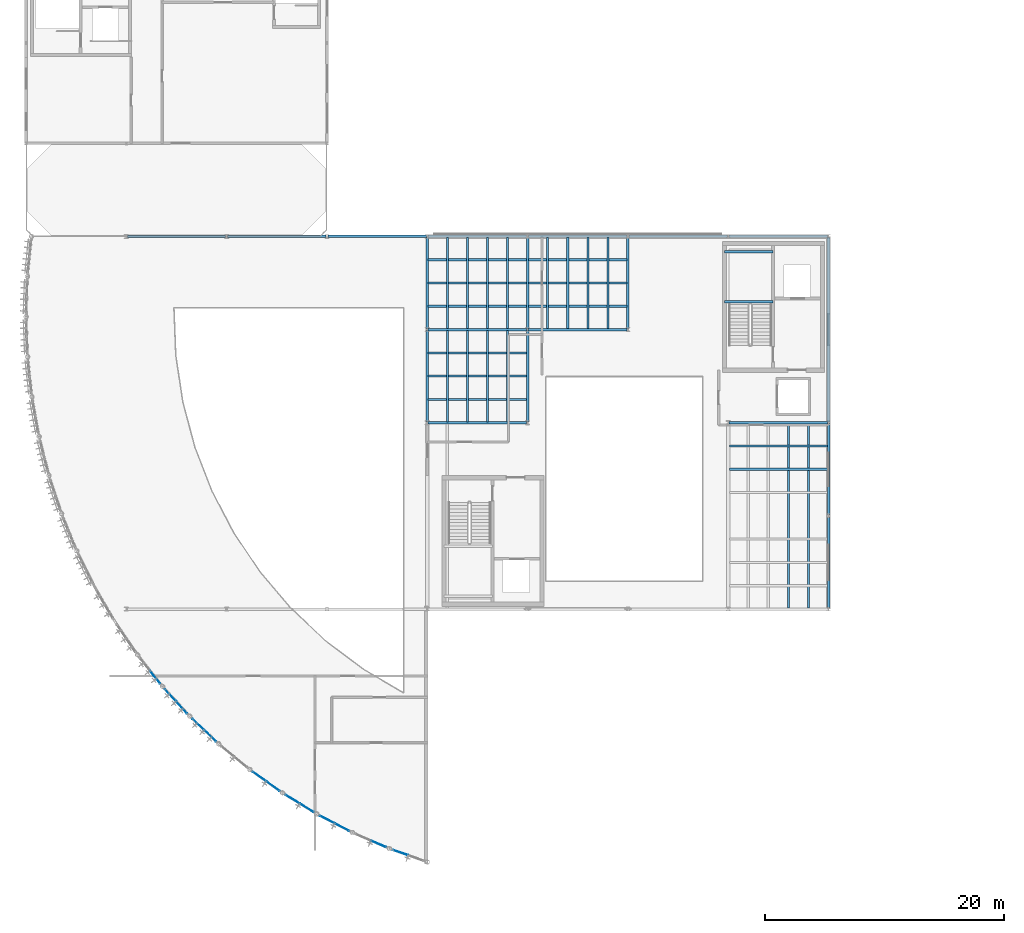
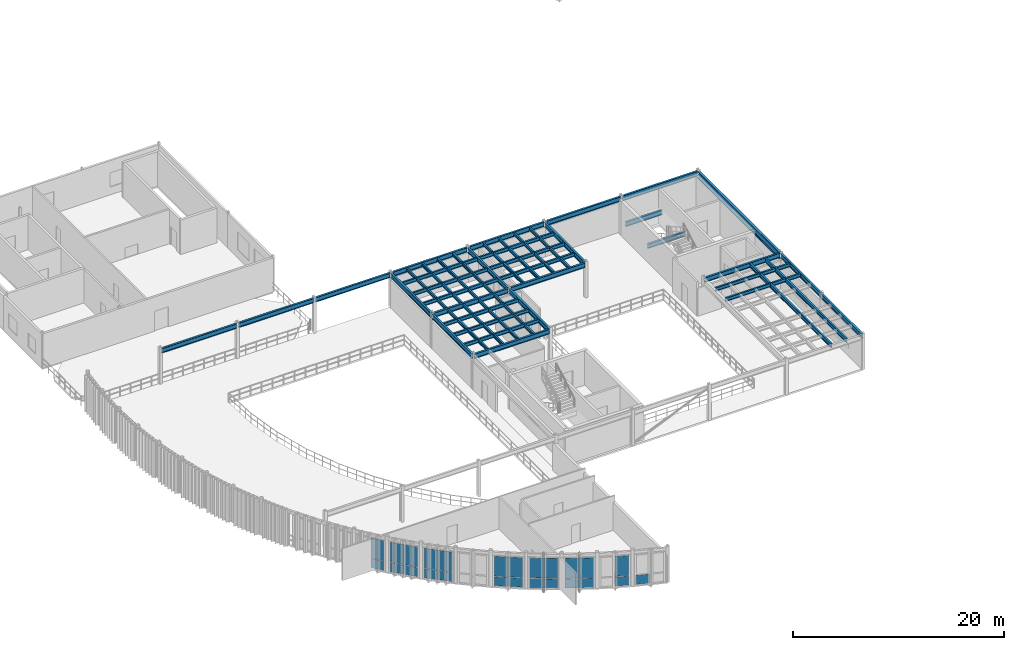
# One storey, part 17 of 32: 46 beams, 25 plates, 8 elements without a shape of their own.
"""IFC4 building model written with IfcOpenShell, lengths in metres."""

from ifc_helpers import new_model, si_unit, direction, frame, origin, origin_2d, place, context, subcontext, project, spatial, rectangle, i_section, extrude, material, layer, layer_set, material_profile, profile_set, type_object, element, aggregate, save


model = new_model("IFC4")

# Units and contexts
model_context = context("Model", 3, precision=1e-05, world=origin(), true_north=direction((0.0, 1.0)))
body_context = subcontext(model_context, "Body", "Model", "MODEL_VIEW")
ifc_project = project(units=[si_unit("LENGTHUNIT", "METRE"), si_unit("AREAUNIT", "SQUARE_METRE"), si_unit("VOLUMEUNIT", "CUBIC_METRE"), si_unit("PLANEANGLEUNIT", "RADIAN"), si_unit("MASSUNIT", "GRAM", prefix="KILO")], contexts=[model_context])

# Site, building, storey
site_placement = place(None, origin())
site = spatial("IfcSite", under=ifc_project, at=site_placement, CompositionType="ELEMENT")
building_placement = place(site_placement, origin())
building = spatial("IfcBuilding", under=site, at=building_placement, Name="Selat Folded Stagehouse", CompositionType="ELEMENT")
storey_placement = place(building_placement, frame((0.0, 0.0, 19.199951171875)))
storey = spatial("IfcBuildingStorey", under=building, at=storey_placement, Name="L04", CompositionType="ELEMENT", Elevation=19.199951171875)

# Beams
ifc_material_1 = material(Name="Steel S355", Category="steel")
ifc_material_profile_1 = material_profile(ifc_material_1, i_section(OverallWidth=0.210693359375, OverallDepth=0.53955078125, WebThickness=0.01171875, FlangeThickness=0.018798828125, FilletRadius=0.0126953125, at=origin_2d()), Name="UKB 533x210x109")
ifc_profile_set_1 = profile_set([ifc_material_profile_1], Name="Steel S355")
beam_type_1 = type_object("IfcBeamType", Name="BM-GIRD-533x210x109", PredefinedType="BEAM", material=ifc_profile_set_1)
beam_1_placement = place(storey_placement, frame((33.60009765625, 39.080078125, 3.73046875), z_axis=(0.0, 1.0, 0.0), x_axis=(-1.0, 0.0, 0.0)))
element("IfcBeam", 1, at=beam_1_placement, inside=storey, type_object=beam_type_1, Name="L04 primary y-girder 1378", PredefinedType="BEAM", context=body_context, shape_type="SweptSolid", body=[
    extrude(i_section(OverallWidth=0.210693359375, OverallDepth=0.53955078125, WebThickness=0.01171875, FlangeThickness=0.018798828125, FilletRadius=0.0126953125, at=origin_2d()), origin(), (0.0, 0.0, 1.0), 7.639892578125),
])
beam_2_placement = place(storey_placement, frame((33.60009765625, 46.8798828125, 3.73046875), z_axis=(0.0, 1.0, 0.0), x_axis=(-1.0, 0.0, 0.0)))
element("IfcBeam", 2, at=beam_2_placement, inside=storey, type_object=beam_type_1, Name="L04 primary y-girder 1379", PredefinedType="BEAM", context=body_context, shape_type="SweptSolid", body=[
    extrude(i_section(OverallWidth=0.210693359375, OverallDepth=0.53955078125, WebThickness=0.01171875, FlangeThickness=0.018798828125, FilletRadius=0.0126953125, at=origin_2d()), origin(), (0.0, 0.0, 1.0), 7.64013671875),
])
beam_3_placement = place(storey_placement, frame((42.0, 39.080078125, 3.73046875), z_axis=(0.0, 1.0, 0.0), x_axis=(-1.0, 0.0, 0.0)))
element("IfcBeam", 3, at=beam_3_placement, inside=storey, type_object=beam_type_1, Name="L04 primary y-girder 1380", PredefinedType="BEAM", context=body_context, shape_type="SweptSolid", body=[
    extrude(i_section(OverallWidth=0.210693359375, OverallDepth=0.53955078125, WebThickness=0.01171875, FlangeThickness=0.018798828125, FilletRadius=0.0126953125, at=origin_2d()), origin(), (0.0, 0.0, 1.0), 7.639892578125),
])
for number, where, z_axis, x_axis, name in (
    (4, (42.0, 46.8798828125, 3.73046875), (0.0, 1.0, 0.0), (-1.0, 0.0, 0.0), "L04 primary y-girder 1381"),
    (5, (50.39990234375, 46.8798828125, 3.73046875), (0.0, 1.0, 0.0), (-1.0, 0.0, 0.0), "L04 primary y-girder 1382"),
    (6, (67.199951171875, 23.47998046875, 3.73046875), (0.0, 1.0, 0.0), (-1.0, 0.0, 0.0), "L04 primary y-girder 1384"),
):
    element("IfcBeam", number, at=place(storey_placement, frame(where, z_axis=z_axis, x_axis=x_axis)), inside=storey, type_object=beam_type_1, Name=name, PredefinedType="BEAM", context=body_context, shape_type="SweptSolid", body=[
        extrude(i_section(OverallWidth=0.210693359375, OverallDepth=0.53955078125, WebThickness=0.01171875, FlangeThickness=0.018798828125, FilletRadius=0.0126953125, at=origin_2d()), origin(), (0.0, 0.0, 1.0), 7.64013671875),
    ])
beam_4_placement = place(storey_placement, frame((67.199951171875, 31.280029296875, 3.73046875), z_axis=(0.0, 1.0, 0.0), x_axis=(-1.0, 0.0, 0.0)))
element("IfcBeam", 7, at=beam_4_placement, inside=storey, type_object=beam_type_1, Name="L04 primary y-girder 1385", PredefinedType="BEAM", context=body_context, shape_type="SweptSolid", body=[
    extrude(i_section(OverallWidth=0.210693359375, OverallDepth=0.53955078125, WebThickness=0.01171875, FlangeThickness=0.018798828125, FilletRadius=0.0126953125, at=origin_2d()), origin(), (0.0, 0.0, 1.0), 7.639892578125),
])
ifc_material_profile_2 = material_profile(ifc_material_1, i_section(OverallWidth=0.209228515625, OverallDepth=0.533203125, WebThickness=0.010009765625, FlangeThickness=0.015625, FilletRadius=0.0126953125, at=origin_2d()), Name="UKB 533x210x92")
ifc_profile_set_2 = profile_set([ifc_material_profile_2], Name="Steel S355")
beam_type_2 = type_object("IfcBeamType", Name="BM-GIRD-533x210x92", PredefinedType="BEAM", material=ifc_profile_set_2)
beam_5_placement = place(storey_placement, frame((33.679931640625, 39.0, 3.733642578125), z_axis=(1.0, 0.0, 0.0), x_axis=(0.0, 1.0, 0.0)))
element("IfcBeam", 8, at=beam_5_placement, inside=storey, type_object=beam_type_2, Name="L04 primary x-girder 1366", PredefinedType="BEAM", context=body_context, shape_type="SweptSolid", body=[
    extrude(i_section(OverallWidth=0.209228515625, OverallDepth=0.533203125, WebThickness=0.010009765625, FlangeThickness=0.015625, FilletRadius=0.0126953125, at=origin_2d()), origin(), (0.0, 0.0, 1.0), 8.239990234375),
])
beam_6_placement = place(storey_placement, frame((58.8798828125, 39.0, 3.733642578125), z_axis=(1.0, 0.0, 0.0), x_axis=(0.0, 1.0, 0.0)))
element("IfcBeam", 9, at=beam_6_placement, inside=storey, type_object=beam_type_2, Name="L04 primary x-girder 1367", PredefinedType="BEAM", context=body_context, shape_type="SweptSolid", body=[
    extrude(i_section(OverallWidth=0.209228515625, OverallDepth=0.533203125, WebThickness=0.010009765625, FlangeThickness=0.015625, FilletRadius=0.0126953125, at=origin_2d()), origin(), (0.0, 0.0, 1.0), 8.240234375),
])
for number, where, z_axis, x_axis, name in (
    (10, (33.679931640625, 46.800048828125, 3.733642578125), (1.0, 0.0, 0.0), (0.0, 1.0, 0.0), "L04 primary x-girder 1368"),
    (11, (42.080078125, 46.800048828125, 3.733642578125), (1.0, 0.0, 0.0), (0.0, 1.0, 0.0), "L04 primary x-girder 1369"),
    (12, (8.47998046875, 54.60009765625, 3.733642578125), (1.0, 0.0, 0.0), (0.0, 1.0, 0.0), "L04 primary x-girder 1370"),
):
    element("IfcBeam", number, at=place(storey_placement, frame(where, z_axis=z_axis, x_axis=x_axis)), inside=storey, type_object=beam_type_2, Name=name, PredefinedType="BEAM", context=body_context, shape_type="SweptSolid", body=[
        extrude(i_section(OverallWidth=0.209228515625, OverallDepth=0.533203125, WebThickness=0.010009765625, FlangeThickness=0.015625, FilletRadius=0.0126953125, at=origin_2d()), origin(), (0.0, 0.0, 1.0), 8.239990234375),
    ])
beam_7_placement = place(storey_placement, frame((16.8798828125, 54.60009765625, 3.733642578125), z_axis=(1.0, 0.0, 0.0), x_axis=(0.0, 1.0, 0.0)))
element("IfcBeam", 13, at=beam_7_placement, inside=storey, type_object=beam_type_2, Name="L04 primary x-girder 1371", PredefinedType="BEAM", context=body_context, shape_type="SweptSolid", body=[
    extrude(i_section(OverallWidth=0.209228515625, OverallDepth=0.533203125, WebThickness=0.010009765625, FlangeThickness=0.015625, FilletRadius=0.0126953125, at=origin_2d()), origin(), (0.0, 0.0, 1.0), 8.240234375),
])
for number, where, z_axis, x_axis, name in (
    (14, (25.280029296875, 54.60009765625, 3.733642578125), (1.0, 0.0, 0.0), (0.0, 1.0, 0.0), "L04 primary x-girder 1372"),
    (15, (33.679931640625, 54.60009765625, 3.733642578125), (1.0, 0.0, 0.0), (0.0, 1.0, 0.0), "L04 primary x-girder 1373"),
    (16, (42.080078125, 54.60009765625, 3.733642578125), (1.0, 0.0, 0.0), (0.0, 1.0, 0.0), "L04 primary x-girder 1374"),
    (17, (50.47998046875, 54.60009765625, 3.733642578125), (1.0, 0.0, 0.0), (0.0, 1.0, 0.0), "L04 primary x-girder 1375"),
):
    element("IfcBeam", number, at=place(storey_placement, frame(where, z_axis=z_axis, x_axis=x_axis)), inside=storey, type_object=beam_type_2, Name=name, PredefinedType="BEAM", context=body_context, shape_type="SweptSolid", body=[
        extrude(i_section(OverallWidth=0.209228515625, OverallDepth=0.533203125, WebThickness=0.010009765625, FlangeThickness=0.015625, FilletRadius=0.0126953125, at=origin_2d()), origin(), (0.0, 0.0, 1.0), 8.239990234375),
    ])
beam_8_placement = place(storey_placement, frame((58.8798828125, 54.60009765625, 3.733642578125), z_axis=(1.0, 0.0, 0.0), x_axis=(0.0, 1.0, 0.0)))
element("IfcBeam", 18, at=beam_8_placement, inside=storey, type_object=beam_type_2, Name="L04 primary x-girder 1376", PredefinedType="BEAM", context=body_context, shape_type="SweptSolid", body=[
    extrude(i_section(OverallWidth=0.209228515625, OverallDepth=0.533203125, WebThickness=0.010009765625, FlangeThickness=0.015625, FilletRadius=0.0126953125, at=origin_2d()), origin(), (0.0, 0.0, 1.0), 8.240234375),
])
for number, where, z_axis, x_axis, name in (
    (19, (58.5, 49.1298828125, 1.633544921875), (1.0, 0.0, 0.0), (0.0, 1.0, 0.0), "L04 ST-02 landing support beam 1"),
    (20, (58.5, 53.31005859375, 1.633544921875), (1.0, 0.0, 0.0), (0.0, 1.0, 0.0), "L04 ST-02 landing support beam 2"),
):
    element("IfcBeam", number, at=place(storey_placement, frame(where, z_axis=z_axis, x_axis=x_axis)), inside=storey, type_object=beam_type_2, Name=name, PredefinedType="BEAM", context=body_context, shape_type="SweptSolid", body=[
        extrude(i_section(OverallWidth=0.209228515625, OverallDepth=0.533203125, WebThickness=0.010009765625, FlangeThickness=0.015625, FilletRadius=0.0126953125, at=origin_2d()), origin(), (0.0, 0.0, 1.0), 4.050048828125),
    ])
ifc_material_profile_3 = material_profile(ifc_material_1, i_section(OverallWidth=0.26806640625, OverallDepth=0.769775390625, WebThickness=0.015625, FlangeThickness=0.025390625, FilletRadius=0.0166015625, at=origin_2d()), Name="UKB 762x267x197")
ifc_profile_set_3 = profile_set([ifc_material_profile_3], Name="Steel S355")
beam_type_3 = type_object("IfcBeamType", Name="BM-GIRD-762x267x197", PredefinedType="BEAM", material=ifc_profile_set_3)
beam_9_placement = place(storey_placement, frame((67.199951171875, 39.080078125, 3.615234375), z_axis=(0.0, 1.0, 0.0), x_axis=(-1.0, 0.0, 0.0)))
element("IfcBeam", 21, at=beam_9_placement, inside=storey, type_object=beam_type_3, Name="L04 primary y-girder 1386", PredefinedType="BEAM", context=body_context, shape_type="SweptSolid", body=[
    extrude(i_section(OverallWidth=0.26806640625, OverallDepth=0.769775390625, WebThickness=0.015625, FlangeThickness=0.025390625, FilletRadius=0.0166015625, at=origin_2d()), origin(), (0.0, 0.0, 1.0), 15.43994140625),
])
ifc_material_profile_4 = material_profile(ifc_material_1, i_section(OverallWidth=0.17138671875, OverallDepth=0.35498046875, WebThickness=0.00732421875, FlangeThickness=0.011474609375, FilletRadius=0.01025390625, at=origin_2d()), Name="UKB 356x171x51")
ifc_profile_set_4 = profile_set([ifc_material_profile_4], Name="Steel S355")
beam_type_4 = type_object("IfcBeamType", Name="JST-356x171x51", PredefinedType="JOIST", material=ifc_profile_set_4)
beam_10_placement = place(storey_placement, frame((35.280029296875, 39.0732421875, 3.822509765625), z_axis=(0.0, 1.0, 0.0), x_axis=(-1.0, 0.0, 0.0)))
element("IfcBeam", 22, at=beam_10_placement, inside=storey, type_object=beam_type_4, Name="L04 secondary floor joist 1388", PredefinedType="JOIST", context=body_context, shape_type="SweptSolid", body=[
    extrude(i_section(OverallWidth=0.17138671875, OverallDepth=0.35498046875, WebThickness=0.00732421875, FlangeThickness=0.011474609375, FilletRadius=0.01025390625, at=origin_2d()), origin(), (0.0, 0.0, 1.0), 7.653564453125),
])
beam_11_placement = place(storey_placement, frame((35.280029296875, 46.873291015625, 3.822509765625), z_axis=(0.0, 1.0, 0.0), x_axis=(-1.0, 0.0, 0.0)))
element("IfcBeam", 23, at=beam_11_placement, inside=storey, type_object=beam_type_4, Name="L04 secondary floor joist 1389", PredefinedType="JOIST", context=body_context, shape_type="SweptSolid", body=[
    extrude(i_section(OverallWidth=0.17138671875, OverallDepth=0.35498046875, WebThickness=0.00732421875, FlangeThickness=0.011474609375, FilletRadius=0.01025390625, at=origin_2d()), origin(), (0.0, 0.0, 1.0), 7.6533203125),
])
beam_12_placement = place(storey_placement, frame((36.9599609375, 39.0732421875, 3.822509765625), z_axis=(0.0, 1.0, 0.0), x_axis=(-1.0, 0.0, 0.0)))
element("IfcBeam", 24, at=beam_12_placement, inside=storey, type_object=beam_type_4, Name="L04 secondary floor joist 1390", PredefinedType="JOIST", context=body_context, shape_type="SweptSolid", body=[
    extrude(i_section(OverallWidth=0.17138671875, OverallDepth=0.35498046875, WebThickness=0.00732421875, FlangeThickness=0.011474609375, FilletRadius=0.01025390625, at=origin_2d()), origin(), (0.0, 0.0, 1.0), 7.653564453125),
])
beam_13_placement = place(storey_placement, frame((36.9599609375, 46.873291015625, 3.822509765625), z_axis=(0.0, 1.0, 0.0), x_axis=(-1.0, 0.0, 0.0)))
element("IfcBeam", 25, at=beam_13_placement, inside=storey, type_object=beam_type_4, Name="L04 secondary floor joist 1391", PredefinedType="JOIST", context=body_context, shape_type="SweptSolid", body=[
    extrude(i_section(OverallWidth=0.17138671875, OverallDepth=0.35498046875, WebThickness=0.00732421875, FlangeThickness=0.011474609375, FilletRadius=0.01025390625, at=origin_2d()), origin(), (0.0, 0.0, 1.0), 7.6533203125),
])
beam_14_placement = place(storey_placement, frame((38.639892578125, 39.0732421875, 3.822509765625), z_axis=(0.0, 1.0, 0.0), x_axis=(-1.0, 0.0, 0.0)))
element("IfcBeam", 26, at=beam_14_placement, inside=storey, type_object=beam_type_4, Name="L04 secondary floor joist 1392", PredefinedType="JOIST", context=body_context, shape_type="SweptSolid", body=[
    extrude(i_section(OverallWidth=0.17138671875, OverallDepth=0.35498046875, WebThickness=0.00732421875, FlangeThickness=0.011474609375, FilletRadius=0.01025390625, at=origin_2d()), origin(), (0.0, 0.0, 1.0), 7.653564453125),
])
beam_15_placement = place(storey_placement, frame((38.639892578125, 46.873291015625, 3.822509765625), z_axis=(0.0, 1.0, 0.0), x_axis=(-1.0, 0.0, 0.0)))
element("IfcBeam", 27, at=beam_15_placement, inside=storey, type_object=beam_type_4, Name="L04 secondary floor joist 1393", PredefinedType="JOIST", context=body_context, shape_type="SweptSolid", body=[
    extrude(i_section(OverallWidth=0.17138671875, OverallDepth=0.35498046875, WebThickness=0.00732421875, FlangeThickness=0.011474609375, FilletRadius=0.01025390625, at=origin_2d()), origin(), (0.0, 0.0, 1.0), 7.6533203125),
])
beam_16_placement = place(storey_placement, frame((40.320068359375, 39.0732421875, 3.822509765625), z_axis=(0.0, 1.0, 0.0), x_axis=(-1.0, 0.0, 0.0)))
element("IfcBeam", 28, at=beam_16_placement, inside=storey, type_object=beam_type_4, Name="L04 secondary floor joist 1394", PredefinedType="JOIST", context=body_context, shape_type="SweptSolid", body=[
    extrude(i_section(OverallWidth=0.17138671875, OverallDepth=0.35498046875, WebThickness=0.00732421875, FlangeThickness=0.011474609375, FilletRadius=0.01025390625, at=origin_2d()), origin(), (0.0, 0.0, 1.0), 7.653564453125),
])
for number, where, z_axis, x_axis, name in (
    (29, (40.320068359375, 46.873291015625, 3.822509765625), (0.0, 1.0, 0.0), (-1.0, 0.0, 0.0), "L04 secondary floor joist 1395"),
    (30, (43.679931640625, 46.873291015625, 3.822509765625), (0.0, 1.0, 0.0), (-1.0, 0.0, 0.0), "L04 secondary floor joist 1396"),
    (31, (45.360107421875, 46.873291015625, 3.822509765625), (0.0, 1.0, 0.0), (-1.0, 0.0, 0.0), "L04 secondary floor joist 1397"),
    (32, (47.0400390625, 46.873291015625, 3.822509765625), (0.0, 1.0, 0.0), (-1.0, 0.0, 0.0), "L04 secondary floor joist 1398"),
    (33, (48.719970703125, 46.873291015625, 3.822509765625), (0.0, 1.0, 0.0), (-1.0, 0.0, 0.0), "L04 secondary floor joist 1399"),
):
    element("IfcBeam", number, at=place(storey_placement, frame(where, z_axis=z_axis, x_axis=x_axis)), inside=storey, type_object=beam_type_4, Name=name, PredefinedType="JOIST", context=body_context, shape_type="SweptSolid", body=[
        extrude(i_section(OverallWidth=0.17138671875, OverallDepth=0.35498046875, WebThickness=0.00732421875, FlangeThickness=0.011474609375, FilletRadius=0.01025390625, at=origin_2d()), origin(), (0.0, 0.0, 1.0), 7.6533203125),
    ])
ifc_material_profile_5 = material_profile(ifc_material_1, i_section(OverallWidth=0.177978515625, OverallDepth=0.406494140625, WebThickness=0.0078125, FlangeThickness=0.0126953125, FilletRadius=0.01025390625, at=origin_2d()), Name="UKB 406x178x60")
ifc_profile_set_5 = profile_set([ifc_material_profile_5], Name="Steel S355")
beam_type_5 = type_object("IfcBeamType", Name="JST-406x178x60", PredefinedType="JOIST", material=ifc_profile_set_5)
for number, where, z_axis, x_axis, name in (
    (34, (58.893798828125, 35.10009765625, 3.796875), (1.0, 0.0, 0.0), (0.0, 1.0, 0.0), "L04 secondary x-joist 1408"),
    (35, (58.893798828125, 37.050048828125, 3.796875), (1.0, 0.0, 0.0), (0.0, 1.0, 0.0), "L04 secondary x-joist 1409"),
):
    element("IfcBeam", number, at=place(storey_placement, frame(where, z_axis=z_axis, x_axis=x_axis)), inside=storey, type_object=beam_type_5, Name=name, PredefinedType="JOIST", context=body_context, shape_type="SweptSolid", body=[
        extrude(i_section(OverallWidth=0.177978515625, OverallDepth=0.406494140625, WebThickness=0.0078125, FlangeThickness=0.0126953125, FilletRadius=0.01025390625, at=origin_2d()), origin(), (0.0, 0.0, 1.0), 8.232421875),
    ])
for number, where, z_axis, x_axis, name in (
    (36, (33.673828125, 40.949951171875, 3.796875), (1.0, 0.0, 0.0), (0.0, 1.0, 0.0), "L04 secondary x-joist 1410"),
    (37, (33.673828125, 42.89990234375, 3.796875), (1.0, 0.0, 0.0), (0.0, 1.0, 0.0), "L04 secondary x-joist 1411"),
    (38, (33.673828125, 44.85009765625, 3.796875), (1.0, 0.0, 0.0), (0.0, 1.0, 0.0), "L04 secondary x-joist 1412"),
    (39, (33.673828125, 48.75, 3.796875), (1.0, 0.0, 0.0), (0.0, 1.0, 0.0), "L04 secondary x-joist 1413"),
    (40, (42.07373046875, 48.75, 3.796875), (1.0, 0.0, 0.0), (0.0, 1.0, 0.0), "L04 secondary x-joist 1414"),
    (41, (33.673828125, 50.699951171875, 3.796875), (1.0, 0.0, 0.0), (0.0, 1.0, 0.0), "L04 secondary x-joist 1415"),
    (42, (42.07373046875, 50.699951171875, 3.796875), (1.0, 0.0, 0.0), (0.0, 1.0, 0.0), "L04 secondary x-joist 1416"),
    (43, (33.673828125, 52.64990234375, 3.796875), (1.0, 0.0, 0.0), (0.0, 1.0, 0.0), "L04 secondary x-joist 1417"),
    (44, (42.07373046875, 52.64990234375, 3.796875), (1.0, 0.0, 0.0), (0.0, 1.0, 0.0), "L04 secondary x-joist 1418"),
):
    element("IfcBeam", number, at=place(storey_placement, frame(where, z_axis=z_axis, x_axis=x_axis)), inside=storey, type_object=beam_type_5, Name=name, PredefinedType="JOIST", context=body_context, shape_type="SweptSolid", body=[
        extrude(i_section(OverallWidth=0.177978515625, OverallDepth=0.406494140625, WebThickness=0.0078125, FlangeThickness=0.0126953125, FilletRadius=0.01025390625, at=origin_2d()), origin(), (0.0, 0.0, 1.0), 8.25244140625),
    ])
ifc_material_profile_6 = material_profile(ifc_material_1, i_section(OverallWidth=0.18994140625, OverallDepth=0.453369140625, WebThickness=0.008544921875, FlangeThickness=0.0126953125, FilletRadius=0.01025390625, at=origin_2d()), Name="UKB 457x191x67")
ifc_profile_set_6 = profile_set([ifc_material_profile_6], Name="Steel S355")
beam_type_6 = type_object("IfcBeamType", Name="JST-457x191x67", PredefinedType="JOIST", material=ifc_profile_set_6)
for number, where, z_axis, x_axis, name in (
    (45, (63.840087890625, 23.473388671875, 3.7734375), (0.0, 1.0, 0.0), (-1.0, 0.0, 0.0), "L04 secondary floor joist 1402"),
    (46, (65.52001953125, 23.473388671875, 3.7734375), (0.0, 1.0, 0.0), (-1.0, 0.0, 0.0), "L04 secondary floor joist 1403"),
):
    element("IfcBeam", number, at=place(storey_placement, frame(where, z_axis=z_axis, x_axis=x_axis)), inside=storey, type_object=beam_type_6, Name=name, PredefinedType="JOIST", context=body_context, shape_type="SweptSolid", body=[
        extrude(i_section(OverallWidth=0.18994140625, OverallDepth=0.453369140625, WebThickness=0.008544921875, FlangeThickness=0.0126953125, FilletRadius=0.01025390625, at=origin_2d()), origin(), (0.0, 0.0, 1.0), 15.453369140625),
    ])

# Curtain wall, plates
ifc_material_2 = material(Name="Aluminium 6063-T6", Category="aluminium")
ifc_layer_1 = layer(ifc_material_2, 0.18505859375)
ifc_layer_set_1 = layer_set([ifc_layer_1], Name="Aluminium 6063-T6")
curtain_wall_type = type_object("IfcCurtainWallType", Name="CW-DRM-UPPER", PredefinedType="NOTDEFINED", material=ifc_layer_set_1)
curtain_wall_1_placement = place(storey_placement, origin())
curtain_wall_1 = element("IfcCurtainWall", 47, at=curtain_wall_1_placement, inside=storey, type_object=curtain_wall_type, Name="L04 curtain wall CW-DRM-L04-11", PredefinedType="NOTDEFINED")
ifc_material_3 = material(Name="Insulated bronze aluminium spandrel panel", Category="aluminium")
ifc_layer_2 = layer(ifc_material_3, 0.050048828125)
ifc_layer_set_2 = layer_set([ifc_layer_2], Name="Insulated bronze aluminium spandrel panel")
plate_type = type_object("IfcPlateType", Name="CWP-SPD-ALU50", PredefinedType="CURTAIN_PANEL", material=ifc_layer_set_2)
plate_1_placement = place(storey_placement, frame((10.81640625, 17.684326171875, 0.06494140625), z_axis=(0.0, 0.0, 1.0), x_axis=(-0.620533301992, 0.784180094825, 0.0)))
plate_1 = element("IfcPlate", 48, at=plate_1_placement, type_object=plate_type, Name="CW-03 panel 1.1", PredefinedType="CURTAIN_PANEL", context=body_context, shape_type="SweptSolid", body=[
    extrude(rectangle(XDim=1.3369140625, YDim=0.050048828125, at=origin_2d()), origin(), (0.0, 0.0, 1.0), 1.052490234375),
])
plate_2_placement = place(storey_placement, frame((10.81640625, 17.684326171875, 1.1826171875), z_axis=(0.0, 0.0, 1.0), x_axis=(-0.620533301992, 0.784180094825, 0.0)))
plate_2 = element("IfcPlate", 49, at=plate_2_placement, type_object=plate_type, Name="CW-03 panel 1.2", PredefinedType="CURTAIN_PANEL", context=body_context, shape_type="SweptSolid", body=[
    extrude(rectangle(XDim=1.3369140625, YDim=0.050048828125, at=origin_2d()), origin(), (0.0, 0.0, 1.0), 2.3125),
])
aggregate(curtain_wall_1, [plate_1, plate_2])

curtain_wall_2_placement = place(storey_placement, origin())
curtain_wall_2 = element("IfcCurtainWall", 50, at=curtain_wall_2_placement, inside=storey, type_object=curtain_wall_type, Name="L04 curtain wall CW-DRM-L04-12", PredefinedType="NOTDEFINED")
plate_3_placement = place(storey_placement, frame((13.034423828125, 15.15087890625, 0.06494140625), z_axis=(0.0, 0.0, 1.0), x_axis=(-0.674002369336, 0.738729183213, 0.0)))
plate_3 = element("IfcPlate", 51, at=plate_3_placement, type_object=plate_type, Name="CW-03 panel 1.1", PredefinedType="CURTAIN_PANEL", context=body_context, shape_type="SweptSolid", body=[
    extrude(rectangle(XDim=1.3369140625, YDim=0.050048828125, at=origin_2d()), origin(), (0.0, 0.0, 1.0), 1.052490234375),
])
plate_4_placement = place(storey_placement, frame((13.034423828125, 15.15087890625, 1.1826171875), z_axis=(0.0, 0.0, 1.0), x_axis=(-0.674002369336, 0.738729183213, 0.0)))
plate_4 = element("IfcPlate", 52, at=plate_4_placement, type_object=plate_type, Name="CW-03 panel 1.2", PredefinedType="CURTAIN_PANEL", context=body_context, shape_type="SweptSolid", body=[
    extrude(rectangle(XDim=1.3369140625, YDim=0.050048828125, at=origin_2d()), origin(), (0.0, 0.0, 1.0), 2.3125),
])
plate_5_placement = place(storey_placement, frame((12.089599609375, 16.1865234375, 0.06494140625), z_axis=(0.0, 0.0, 1.0), x_axis=(-0.674002369336, 0.738729183213, 0.0)))
plate_5 = element("IfcPlate", 53, at=plate_5_placement, type_object=plate_type, Name="CW-03 panel 2.1", PredefinedType="CURTAIN_PANEL", context=body_context, shape_type="SweptSolid", body=[
    extrude(rectangle(XDim=1.3369140625, YDim=0.050048828125, at=origin_2d()), origin(), (0.0, 0.0, 1.0), 1.052490234375),
])
plate_6_placement = place(storey_placement, frame((12.089599609375, 16.1865234375, 1.1826171875), z_axis=(0.0, 0.0, 1.0), x_axis=(-0.674002369336, 0.738729183213, 0.0)))
plate_6 = element("IfcPlate", 54, at=plate_6_placement, type_object=plate_type, Name="CW-03 panel 2.2", PredefinedType="CURTAIN_PANEL", context=body_context, shape_type="SweptSolid", body=[
    extrude(rectangle(XDim=1.3369140625, YDim=0.050048828125, at=origin_2d()), origin(), (0.0, 0.0, 1.0), 2.3125),
])
aggregate(curtain_wall_2, [plate_3, plate_4, plate_5, plate_6])

curtain_wall_3_placement = place(storey_placement, origin())
curtain_wall_3 = element("IfcCurtainWall", 55, at=curtain_wall_3_placement, inside=storey, type_object=curtain_wall_type, Name="L04 curtain wall CW-DRM-L04-13", PredefinedType="NOTDEFINED")
plate_7_placement = place(storey_placement, frame((15.4248046875, 12.779052734375, 0.06494140625), z_axis=(0.0, 0.0, 1.0), x_axis=(-0.724132128869, 0.689661264636, 0.0)))
plate_7 = element("IfcPlate", 56, at=plate_7_placement, type_object=plate_type, Name="CW-03 panel 1.1", PredefinedType="CURTAIN_PANEL", context=body_context, shape_type="SweptSolid", body=[
    extrude(rectangle(XDim=1.337158203125, YDim=0.050048828125, at=origin_2d()), origin(), (0.0, 0.0, 1.0), 1.052490234375),
])
plate_8_placement = place(storey_placement, frame((15.4248046875, 12.779052734375, 1.1826171875), z_axis=(0.0, 0.0, 1.0), x_axis=(-0.724132128869, 0.689661264636, 0.0)))
plate_8 = element("IfcPlate", 57, at=plate_8_placement, type_object=plate_type, Name="CW-03 panel 1.2", PredefinedType="CURTAIN_PANEL", context=body_context, shape_type="SweptSolid", body=[
    extrude(rectangle(XDim=1.337158203125, YDim=0.050048828125, at=origin_2d()), origin(), (0.0, 0.0, 1.0), 2.3125),
])
plate_9_placement = place(storey_placement, frame((14.40966796875, 13.74609375, 0.06494140625), z_axis=(0.0, 0.0, 1.0), x_axis=(-0.724132128869, 0.689661264636, 0.0)))
plate_9 = element("IfcPlate", 58, at=plate_9_placement, type_object=plate_type, Name="CW-03 panel 2.1", PredefinedType="CURTAIN_PANEL", context=body_context, shape_type="SweptSolid", body=[
    extrude(rectangle(XDim=1.337158203125, YDim=0.050048828125, at=origin_2d()), origin(), (0.0, 0.0, 1.0), 1.052490234375),
])
plate_10_placement = place(storey_placement, frame((14.40966796875, 13.74609375, 1.1826171875), z_axis=(0.0, 0.0, 1.0), x_axis=(-0.724132128869, 0.689661264636, 0.0)))
plate_10 = element("IfcPlate", 59, at=plate_10_placement, type_object=plate_type, Name="CW-03 panel 2.2", PredefinedType="CURTAIN_PANEL", context=body_context, shape_type="SweptSolid", body=[
    extrude(rectangle(XDim=1.337158203125, YDim=0.050048828125, at=origin_2d()), origin(), (0.0, 0.0, 1.0), 2.3125),
])
aggregate(curtain_wall_3, [plate_7, plate_8, plate_9, plate_10])

curtain_wall_4_placement = place(storey_placement, origin())
curtain_wall_4 = element("IfcCurtainWall", 60, at=curtain_wall_4_placement, inside=storey, type_object=curtain_wall_type, Name="L04 curtain wall CW-DRM-L04-15", PredefinedType="NOTDEFINED")
plate_11_placement = place(storey_placement, frame((20.67431640625, 8.567138671875, 0.06494140625), z_axis=(0.0, 0.0, 1.0), x_axis=(-0.813526170861, 0.581528304836, 0.0)))
plate_11 = element("IfcPlate", 61, at=plate_11_placement, type_object=plate_type, Name="CW-03 panel 1.1", PredefinedType="CURTAIN_PANEL", context=body_context, shape_type="SweptSolid", body=[
    extrude(rectangle(XDim=1.3369140625, YDim=0.050048828125, at=origin_2d()), origin(), (0.0, 0.0, 1.0), 1.052490234375),
])
plate_12_placement = place(storey_placement, frame((20.67431640625, 8.567138671875, 1.1826171875), z_axis=(0.0, 0.0, 1.0), x_axis=(-0.813526170861, 0.581528304836, 0.0)))
plate_12 = element("IfcPlate", 62, at=plate_12_placement, type_object=plate_type, Name="CW-03 panel 1.2", PredefinedType="CURTAIN_PANEL", context=body_context, shape_type="SweptSolid", body=[
    extrude(rectangle(XDim=1.3369140625, YDim=0.050048828125, at=origin_2d()), origin(), (0.0, 0.0, 1.0), 2.3125),
])
plate_13_placement = place(storey_placement, frame((19.53369140625, 9.38232421875, 0.06494140625), z_axis=(0.0, 0.0, 1.0), x_axis=(-0.813526170861, 0.581528304836, 0.0)))
plate_13 = element("IfcPlate", 63, at=plate_13_placement, type_object=plate_type, Name="CW-03 panel 2.1", PredefinedType="CURTAIN_PANEL", context=body_context, shape_type="SweptSolid", body=[
    extrude(rectangle(XDim=1.3369140625, YDim=0.050048828125, at=origin_2d()), origin(), (0.0, 0.0, 1.0), 1.052490234375),
])
plate_14_placement = place(storey_placement, frame((19.53369140625, 9.38232421875, 1.1826171875), z_axis=(0.0, 0.0, 1.0), x_axis=(-0.813526170861, 0.581528304836, 0.0)))
plate_14 = element("IfcPlate", 64, at=plate_14_placement, type_object=plate_type, Name="CW-03 panel 2.2", PredefinedType="CURTAIN_PANEL", context=body_context, shape_type="SweptSolid", body=[
    extrude(rectangle(XDim=1.3369140625, YDim=0.050048828125, at=origin_2d()), origin(), (0.0, 0.0, 1.0), 2.3125),
])
aggregate(curtain_wall_4, [plate_11, plate_12, plate_13, plate_14])

curtain_wall_5_placement = place(storey_placement, origin())
curtain_wall_5 = element("IfcCurtainWall", 65, at=curtain_wall_5_placement, inside=storey, type_object=curtain_wall_type, Name="L04 curtain wall CW-DRM-L04-16", PredefinedType="NOTDEFINED")
plate_15_placement = place(storey_placement, frame((23.507568359375, 6.747314453125, 0.06494140625), z_axis=(0.0, 0.0, 1.0), x_axis=(-0.852317078277, 0.523025427755, 0.0)))
plate_15 = element("IfcPlate", 66, at=plate_15_placement, type_object=plate_type, Name="CW-03 panel 1.1", PredefinedType="CURTAIN_PANEL", context=body_context, shape_type="SweptSolid", body=[
    extrude(rectangle(XDim=1.3369140625, YDim=0.050048828125, at=origin_2d()), origin(), (0.0, 0.0, 1.0), 1.052490234375),
])
plate_16_placement = place(storey_placement, frame((23.507568359375, 6.747314453125, 1.1826171875), z_axis=(0.0, 0.0, 1.0), x_axis=(-0.852317078277, 0.523025427755, 0.0)))
plate_16 = element("IfcPlate", 67, at=plate_16_placement, type_object=plate_type, Name="CW-03 panel 1.2", PredefinedType="CURTAIN_PANEL", context=body_context, shape_type="SweptSolid", body=[
    extrude(rectangle(XDim=1.3369140625, YDim=0.050048828125, at=origin_2d()), origin(), (0.0, 0.0, 1.0), 2.3125),
])
plate_17_placement = place(storey_placement, frame((22.312744140625, 7.480712890625, 0.06494140625), z_axis=(0.0, 0.0, 1.0), x_axis=(-0.852317078277, 0.523025427755, 0.0)))
plate_17 = element("IfcPlate", 68, at=plate_17_placement, type_object=plate_type, Name="CW-03 panel 2.1", PredefinedType="CURTAIN_PANEL", context=body_context, shape_type="SweptSolid", body=[
    extrude(rectangle(XDim=1.3369140625, YDim=0.050048828125, at=origin_2d()), origin(), (0.0, 0.0, 1.0), 1.052490234375),
])
plate_18_placement = place(storey_placement, frame((22.312744140625, 7.480712890625, 1.1826171875), z_axis=(0.0, 0.0, 1.0), x_axis=(-0.852317078277, 0.523025427755, 0.0)))
plate_18 = element("IfcPlate", 69, at=plate_18_placement, type_object=plate_type, Name="CW-03 panel 2.2", PredefinedType="CURTAIN_PANEL", context=body_context, shape_type="SweptSolid", body=[
    extrude(rectangle(XDim=1.3369140625, YDim=0.050048828125, at=origin_2d()), origin(), (0.0, 0.0, 1.0), 2.3125),
])
aggregate(curtain_wall_5, [plate_15, plate_16, plate_17, plate_18])

curtain_wall_6_placement = place(storey_placement, origin())
curtain_wall_6 = element("IfcCurtainWall", 70, at=curtain_wall_6_placement, inside=storey, type_object=curtain_wall_type, Name="L04 curtain wall CW-DRM-L04-17", PredefinedType="NOTDEFINED")
plate_19_placement = place(storey_placement, frame((26.46142578125, 5.131103515625, 0.06494140625), z_axis=(0.0, 0.0, 1.0), x_axis=(-0.886915869147, 0.461930991659, 0.0)))
plate_19 = element("IfcPlate", 71, at=plate_19_placement, type_object=plate_type, Name="CW-03 panel 1.1", PredefinedType="CURTAIN_PANEL", context=body_context, shape_type="SweptSolid", body=[
    extrude(rectangle(XDim=1.3369140625, YDim=0.050048828125, at=origin_2d()), origin(), (0.0, 0.0, 1.0), 1.052490234375),
])
plate_20_placement = place(storey_placement, frame((26.46142578125, 5.131103515625, 1.1826171875), z_axis=(0.0, 0.0, 1.0), x_axis=(-0.886915869147, 0.461930991659, 0.0)))
plate_20 = element("IfcPlate", 72, at=plate_20_placement, type_object=plate_type, Name="CW-03 panel 1.2", PredefinedType="CURTAIN_PANEL", context=body_context, shape_type="SweptSolid", body=[
    extrude(rectangle(XDim=1.3369140625, YDim=0.050048828125, at=origin_2d()), origin(), (0.0, 0.0, 1.0), 2.3125),
])
plate_21_placement = place(storey_placement, frame((25.218017578125, 5.778564453125, 0.06494140625), z_axis=(0.0, 0.0, 1.0), x_axis=(-0.886915869147, 0.461930991659, 0.0)))
plate_21 = element("IfcPlate", 73, at=plate_21_placement, type_object=plate_type, Name="CW-03 panel 2.1", PredefinedType="CURTAIN_PANEL", context=body_context, shape_type="SweptSolid", body=[
    extrude(rectangle(XDim=1.3369140625, YDim=0.050048828125, at=origin_2d()), origin(), (0.0, 0.0, 1.0), 1.052490234375),
])
plate_22_placement = place(storey_placement, frame((25.218017578125, 5.778564453125, 1.1826171875), z_axis=(0.0, 0.0, 1.0), x_axis=(-0.886915869147, 0.461930991659, 0.0)))
plate_22 = element("IfcPlate", 74, at=plate_22_placement, type_object=plate_type, Name="CW-03 panel 2.2", PredefinedType="CURTAIN_PANEL", context=body_context, shape_type="SweptSolid", body=[
    extrude(rectangle(XDim=1.3369140625, YDim=0.050048828125, at=origin_2d()), origin(), (0.0, 0.0, 1.0), 2.3125),
])
aggregate(curtain_wall_6, [plate_19, plate_20, plate_21, plate_22])

curtain_wall_7_placement = place(storey_placement, origin())
curtain_wall_7 = element("IfcCurtainWall", 75, at=curtain_wall_7_placement, inside=storey, type_object=curtain_wall_type, Name="L04 curtain wall CW-DRM-L04-18", PredefinedType="NOTDEFINED")
plate_23_placement = place(storey_placement, frame((29.521484375, 3.725830078125, 0.06494140625), z_axis=(0.0, 0.0, 1.0), x_axis=(-0.917133771915, 0.39857953336, 0.0)))
plate_23 = element("IfcPlate", 76, at=plate_23_placement, type_object=plate_type, Name="CW-03 panel 1.1", PredefinedType="CURTAIN_PANEL", context=body_context, shape_type="SweptSolid", body=[
    extrude(rectangle(XDim=1.3369140625, YDim=0.050048828125, at=origin_2d()), origin(), (0.0, 0.0, 1.0), 1.052490234375),
])
plate_24_placement = place(storey_placement, frame((29.521484375, 3.725830078125, 1.1826171875), z_axis=(0.0, 0.0, 1.0), x_axis=(-0.917133771915, 0.39857953336, 0.0)))
plate_24 = element("IfcPlate", 77, at=plate_24_placement, type_object=plate_type, Name="CW-03 panel 1.2", PredefinedType="CURTAIN_PANEL", context=body_context, shape_type="SweptSolid", body=[
    extrude(rectangle(XDim=1.3369140625, YDim=0.050048828125, at=origin_2d()), origin(), (0.0, 0.0, 1.0), 2.3125),
])
aggregate(curtain_wall_7, [plate_23, plate_24])

# Curtain wall, plate
curtain_wall_8_placement = place(storey_placement, origin())
curtain_wall_8 = element("IfcCurtainWall", 78, at=curtain_wall_8_placement, inside=storey, type_object=curtain_wall_type, Name="L04 curtain wall CW-DRM-L04-19", PredefinedType="NOTDEFINED")
plate_25_placement = place(storey_placement, frame((31.350830078125, 3.006103515625, 0.06494140625), z_axis=(0.0, 0.0, 1.0), x_axis=(-0.942815824106, 0.333314148838, 0.0)))
plate_25 = element("IfcPlate", 79, at=plate_25_placement, type_object=plate_type, Name="CW-03 panel 2.1", PredefinedType="CURTAIN_PANEL", context=body_context, shape_type="SweptSolid", body=[
    extrude(rectangle(XDim=1.3369140625, YDim=0.050048828125, at=origin_2d()), origin(), (0.0, 0.0, 1.0), 1.052490234375),
])
aggregate(curtain_wall_8, [plate_25])

save(model, "model.ifc")
